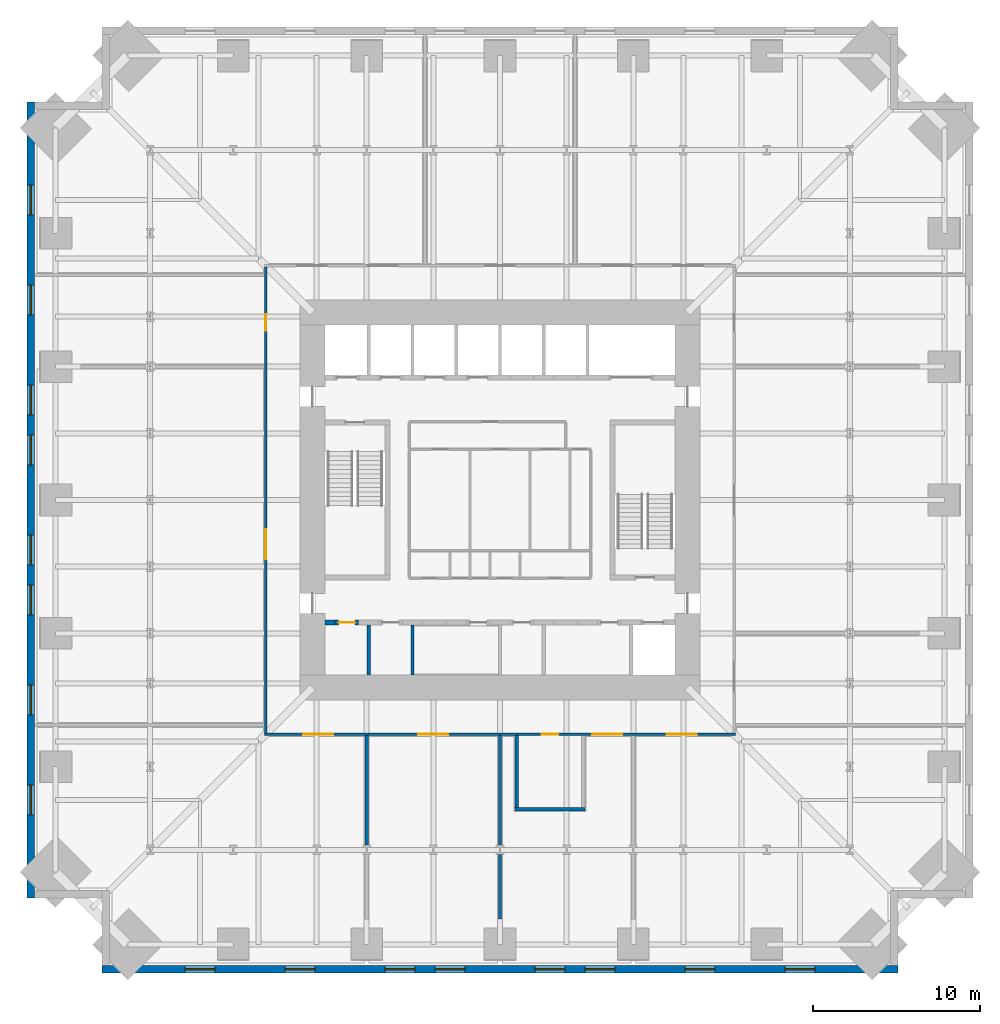
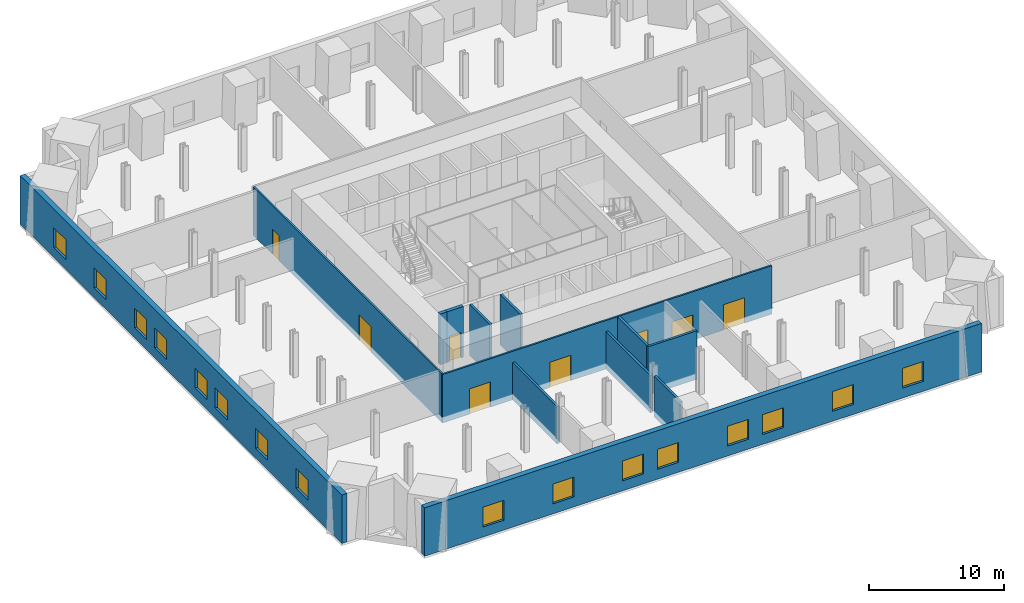
# One storey, part 3 of 8: 16 windows, 13 walls, 8 doors, 24 openings.
"""IFC4 building model written with IfcOpenShell, lengths in metres."""

from ifc_helpers import new_model, si_unit, direction, frame, frame_2d, origin, place, context, subcontext, project, spatial, rectangle, extrude, material, layer, layer_set, type_object, element, fill, save


model = new_model("IFC4")

# Units and contexts
model_context = context("Model", 3, precision=1e-05, world=origin(), true_north=direction((0.0, 1.0)))
body_context = subcontext(model_context, "Body", "Model", "MODEL_VIEW")
ifc_project = project(units=[si_unit("LENGTHUNIT", "METRE"), si_unit("AREAUNIT", "SQUARE_METRE"), si_unit("VOLUMEUNIT", "CUBIC_METRE"), si_unit("PLANEANGLEUNIT", "RADIAN"), si_unit("MASSUNIT", "GRAM", prefix="KILO")], contexts=[model_context])

# Site, building, storey
site_placement = place(None, origin())
site = spatial("IfcSite", under=ifc_project, at=site_placement, CompositionType="ELEMENT")
building_placement = place(site_placement, origin())
building = spatial("IfcBuilding", under=site, at=building_placement, Name="Peilmerk Tower", CompositionType="ELEMENT")
storey_placement = place(building_placement, frame((0.0, 0.0, 104.39990234375)))
storey = spatial("IfcBuildingStorey", under=building, at=storey_placement, Name="L20", CompositionType="ELEMENT", Elevation=104.39990234375)

# Wall, openings, windows
ifc_material_1 = material(Name="Precast concrete C45/55, board-marked finish", Category="concrete")
ifc_layer_1 = layer(ifc_material_1, 0.449951171875)
ifc_layer_set_1 = layer_set([ifc_layer_1], Name="Precast concrete C45/55, board-marked finish")
wall_type_1 = type_object("IfcWallType", Name="EW1 450 precast concrete facade wall, board-marked", PredefinedType="SOLIDWALL", material=ifc_layer_set_1)
wall_1_placement = place(storey_placement, frame((-23.89990234375, -28.175048828125, 0.0), z_axis=(0.0, 0.0, 1.0), x_axis=(1.0, 0.0, 0.0)))
wall_1 = element("IfcWall", 1, at=wall_1_placement, inside=storey, type_object=wall_type_1, Name="Facade wall S L20", PredefinedType="SOLIDWALL", context=body_context, shape_type="SweptSolid", body=[
    extrude(rectangle(XDim=47.7998046875, YDim=0.449951171875, at=frame_2d((23.89990234375, 0.0))), origin(), (0.0, 0.0, 1.0), 4.400146484375),
])
opening_1_placement = place(wall_1_placement, frame((5.0, 0.0, 0.89990234375)))
opening_1 = element("IfcOpeningElement", 2, at=opening_1_placement, cuts=wall_1, Name="Opening W3", PredefinedType="OPENING", context=body_context, shape_type="SweptSolid", body=[
    extrude(rectangle(XDim=1.800048828125, YDim=1.800048828125, at=frame_2d((0.89990234375, 0.89990234375))), frame((0.0, 0.23486328125, 0.0), z_axis=(0.0, -1.0, 0.0), x_axis=(1.0, 0.0, 0.0)), (0.0, 0.0, 1.0), 0.469970703125),
])
opening_2_placement = place(wall_1_placement, frame((11.0, 0.0, 0.89990234375)))
opening_2 = element("IfcOpeningElement", 3, at=opening_2_placement, cuts=wall_1, Name="Opening W3", PredefinedType="OPENING", context=body_context, shape_type="SweptSolid", body=[
    extrude(rectangle(XDim=1.800048828125, YDim=1.800048828125, at=frame_2d((0.89990234375, 0.89990234375))), frame((0.0, 0.23486328125, 0.0), z_axis=(0.0, -1.0, 0.0), x_axis=(1.0, 0.0, 0.0)), (0.0, 0.0, 1.0), 0.469970703125),
])
opening_3_placement = place(wall_1_placement, frame((17.0, 0.0, 0.89990234375)))
opening_3 = element("IfcOpeningElement", 4, at=opening_3_placement, cuts=wall_1, Name="Opening W3", PredefinedType="OPENING", context=body_context, shape_type="SweptSolid", body=[
    extrude(rectangle(XDim=1.800048828125, YDim=1.800048828125, at=frame_2d((0.89990234375, 0.89990234375))), frame((0.0, 0.23486328125, 0.0), z_axis=(0.0, -1.0, 0.0), x_axis=(1.0, 0.0, 0.0)), (0.0, 0.0, 1.0), 0.469970703125),
])
opening_4_placement = place(wall_1_placement, frame((20.0, 0.0, 0.89990234375)))
opening_4 = element("IfcOpeningElement", 5, at=opening_4_placement, cuts=wall_1, Name="Opening W3", PredefinedType="OPENING", context=body_context, shape_type="SweptSolid", body=[
    extrude(rectangle(XDim=1.800048828125, YDim=1.800048828125, at=frame_2d((0.89990234375, 0.89990234375))), frame((0.0, 0.23486328125, 0.0), z_axis=(0.0, -1.0, 0.0), x_axis=(1.0, 0.0, 0.0)), (0.0, 0.0, 1.0), 0.469970703125),
])
opening_5_placement = place(wall_1_placement, frame((26.0, 0.0, 0.89990234375)))
opening_5 = element("IfcOpeningElement", 6, at=opening_5_placement, cuts=wall_1, Name="Opening W3", PredefinedType="OPENING", context=body_context, shape_type="SweptSolid", body=[
    extrude(rectangle(XDim=1.800048828125, YDim=1.800048828125, at=frame_2d((0.89990234375, 0.89990234375))), frame((0.0, 0.23486328125, 0.0), z_axis=(0.0, -1.0, 0.0), x_axis=(1.0, 0.0, 0.0)), (0.0, 0.0, 1.0), 0.469970703125),
])
opening_6_placement = place(wall_1_placement, frame((29.0, 0.0, 0.89990234375)))
opening_6 = element("IfcOpeningElement", 7, at=opening_6_placement, cuts=wall_1, Name="Opening W3", PredefinedType="OPENING", context=body_context, shape_type="SweptSolid", body=[
    extrude(rectangle(XDim=1.800048828125, YDim=1.800048828125, at=frame_2d((0.89990234375, 0.89990234375))), frame((0.0, 0.23486328125, 0.0), z_axis=(0.0, -1.0, 0.0), x_axis=(1.0, 0.0, 0.0)), (0.0, 0.0, 1.0), 0.469970703125),
])
opening_7_placement = place(wall_1_placement, frame((35.0, 0.0, 0.89990234375)))
opening_7 = element("IfcOpeningElement", 8, at=opening_7_placement, cuts=wall_1, Name="Opening W3", PredefinedType="OPENING", context=body_context, shape_type="SweptSolid", body=[
    extrude(rectangle(XDim=1.800048828125, YDim=1.800048828125, at=frame_2d((0.89990234375, 0.89990234375))), frame((0.0, 0.23486328125, 0.0), z_axis=(0.0, -1.0, 0.0), x_axis=(1.0, 0.0, 0.0)), (0.0, 0.0, 1.0), 0.469970703125),
])
opening_8_placement = place(wall_1_placement, frame((41.0, 0.0, 0.89990234375)))
opening_8 = element("IfcOpeningElement", 9, at=opening_8_placement, cuts=wall_1, Name="Opening W3", PredefinedType="OPENING", context=body_context, shape_type="SweptSolid", body=[
    extrude(rectangle(XDim=1.800048828125, YDim=1.800048828125, at=frame_2d((0.89990234375, 0.89990234375))), frame((0.0, 0.23486328125, 0.0), z_axis=(0.0, -1.0, 0.0), x_axis=(1.0, 0.0, 0.0)), (0.0, 0.0, 1.0), 0.469970703125),
])
ifc_material_2 = material(Name="Aluminium frame, clear double glazing", Category="aluminium")
window_type = type_object("IfcWindowType", Name="W3 1800x1800 telecom floor window", PartitioningType="SINGLE_PANEL", PredefinedType="WINDOW", material=ifc_material_2)
window_1_placement = place(opening_1_placement, origin())
window_1 = element("IfcWindow", 10, at=window_1_placement, inside=storey, type_object=window_type, Name="Window W3 L20", OverallHeight=1.800048828125, OverallWidth=1.800048828125, PartitioningType="SINGLE_PANEL", PredefinedType="WINDOW", context=body_context, shape_type="SweptSolid", body=[
    extrude(rectangle(XDim=1.800048828125, YDim=1.800048828125, at=frame_2d((0.89990234375, 0.89990234375))), frame((0.0, 0.030029296875, 0.0), z_axis=(0.0, -1.0, 0.0), x_axis=(1.0, 0.0, 0.0)), (0.0, 0.0, 1.0), 0.06005859375),
])
fill(opening_1, window_1)
window_2_placement = place(opening_2_placement, origin())
window_2 = element("IfcWindow", 11, at=window_2_placement, inside=storey, type_object=window_type, Name="Window W3 L20", OverallHeight=1.800048828125, OverallWidth=1.800048828125, PartitioningType="SINGLE_PANEL", PredefinedType="WINDOW", context=body_context, shape_type="SweptSolid", body=[
    extrude(rectangle(XDim=1.800048828125, YDim=1.800048828125, at=frame_2d((0.89990234375, 0.89990234375))), frame((0.0, 0.030029296875, 0.0), z_axis=(0.0, -1.0, 0.0), x_axis=(1.0, 0.0, 0.0)), (0.0, 0.0, 1.0), 0.06005859375),
])
fill(opening_2, window_2)
window_3_placement = place(opening_3_placement, origin())
window_3 = element("IfcWindow", 12, at=window_3_placement, inside=storey, type_object=window_type, Name="Window W3 L20", OverallHeight=1.800048828125, OverallWidth=1.800048828125, PartitioningType="SINGLE_PANEL", PredefinedType="WINDOW", context=body_context, shape_type="SweptSolid", body=[
    extrude(rectangle(XDim=1.800048828125, YDim=1.800048828125, at=frame_2d((0.89990234375, 0.89990234375))), frame((0.0, 0.030029296875, 0.0), z_axis=(0.0, -1.0, 0.0), x_axis=(1.0, 0.0, 0.0)), (0.0, 0.0, 1.0), 0.06005859375),
])
fill(opening_3, window_3)
window_4_placement = place(opening_4_placement, origin())
window_4 = element("IfcWindow", 13, at=window_4_placement, inside=storey, type_object=window_type, Name="Window W3 L20", OverallHeight=1.800048828125, OverallWidth=1.800048828125, PartitioningType="SINGLE_PANEL", PredefinedType="WINDOW", context=body_context, shape_type="SweptSolid", body=[
    extrude(rectangle(XDim=1.800048828125, YDim=1.800048828125, at=frame_2d((0.89990234375, 0.89990234375))), frame((0.0, 0.030029296875, 0.0), z_axis=(0.0, -1.0, 0.0), x_axis=(1.0, 0.0, 0.0)), (0.0, 0.0, 1.0), 0.06005859375),
])
fill(opening_4, window_4)
window_5_placement = place(opening_5_placement, origin())
window_5 = element("IfcWindow", 14, at=window_5_placement, inside=storey, type_object=window_type, Name="Window W3 L20", OverallHeight=1.800048828125, OverallWidth=1.800048828125, PartitioningType="SINGLE_PANEL", PredefinedType="WINDOW", context=body_context, shape_type="SweptSolid", body=[
    extrude(rectangle(XDim=1.800048828125, YDim=1.800048828125, at=frame_2d((0.89990234375, 0.89990234375))), frame((0.0, 0.030029296875, 0.0), z_axis=(0.0, -1.0, 0.0), x_axis=(1.0, 0.0, 0.0)), (0.0, 0.0, 1.0), 0.06005859375),
])
fill(opening_5, window_5)
window_6_placement = place(opening_6_placement, origin())
window_6 = element("IfcWindow", 15, at=window_6_placement, inside=storey, type_object=window_type, Name="Window W3 L20", OverallHeight=1.800048828125, OverallWidth=1.800048828125, PartitioningType="SINGLE_PANEL", PredefinedType="WINDOW", context=body_context, shape_type="SweptSolid", body=[
    extrude(rectangle(XDim=1.800048828125, YDim=1.800048828125, at=frame_2d((0.89990234375, 0.89990234375))), frame((0.0, 0.030029296875, 0.0), z_axis=(0.0, -1.0, 0.0), x_axis=(1.0, 0.0, 0.0)), (0.0, 0.0, 1.0), 0.06005859375),
])
fill(opening_6, window_6)
window_7_placement = place(opening_7_placement, origin())
window_7 = element("IfcWindow", 16, at=window_7_placement, inside=storey, type_object=window_type, Name="Window W3 L20", OverallHeight=1.800048828125, OverallWidth=1.800048828125, PartitioningType="SINGLE_PANEL", PredefinedType="WINDOW", context=body_context, shape_type="SweptSolid", body=[
    extrude(rectangle(XDim=1.800048828125, YDim=1.800048828125, at=frame_2d((0.89990234375, 0.89990234375))), frame((0.0, 0.030029296875, 0.0), z_axis=(0.0, -1.0, 0.0), x_axis=(1.0, 0.0, 0.0)), (0.0, 0.0, 1.0), 0.06005859375),
])
fill(opening_7, window_7)
window_8_placement = place(opening_8_placement, origin())
window_8 = element("IfcWindow", 17, at=window_8_placement, inside=storey, type_object=window_type, Name="Window W3 L20", OverallHeight=1.800048828125, OverallWidth=1.800048828125, PartitioningType="SINGLE_PANEL", PredefinedType="WINDOW", context=body_context, shape_type="SweptSolid", body=[
    extrude(rectangle(XDim=1.800048828125, YDim=1.800048828125, at=frame_2d((0.89990234375, 0.89990234375))), frame((0.0, 0.030029296875, 0.0), z_axis=(0.0, -1.0, 0.0), x_axis=(1.0, 0.0, 0.0)), (0.0, 0.0, 1.0), 0.06005859375),
])
fill(opening_8, window_8)

wall_2_placement = place(storey_placement, frame((-28.175048828125, 23.89990234375, 0.0), z_axis=(0.0, 0.0, 1.0), x_axis=(0.0, -1.0, 0.0)))
wall_2 = element("IfcWall", 18, at=wall_2_placement, inside=storey, type_object=wall_type_1, Name="Facade wall W L20", PredefinedType="SOLIDWALL", context=body_context, shape_type="SweptSolid", body=[
    extrude(rectangle(XDim=47.7998046875, YDim=0.449951171875, at=frame_2d((23.89990234375, 0.0))), origin(), (0.0, 0.0, 1.0), 4.400146484375),
])
opening_9_placement = place(wall_2_placement, frame((5.0, 0.0, 0.89990234375)))
opening_9 = element("IfcOpeningElement", 19, at=opening_9_placement, cuts=wall_2, Name="Opening W3", PredefinedType="OPENING", context=body_context, shape_type="SweptSolid", body=[
    extrude(rectangle(XDim=1.800048828125, YDim=1.800048828125, at=frame_2d((0.89990234375, 0.89990234375))), frame((0.0, 0.23486328125, 0.0), z_axis=(0.0, -1.0, 0.0), x_axis=(1.0, 0.0, 0.0)), (0.0, 0.0, 1.0), 0.469970703125),
])
opening_10_placement = place(wall_2_placement, frame((11.0, 0.0, 0.89990234375)))
opening_10 = element("IfcOpeningElement", 20, at=opening_10_placement, cuts=wall_2, Name="Opening W3", PredefinedType="OPENING", context=body_context, shape_type="SweptSolid", body=[
    extrude(rectangle(XDim=1.800048828125, YDim=1.800048828125, at=frame_2d((0.89990234375, 0.89990234375))), frame((0.0, 0.23486328125, 0.0), z_axis=(0.0, -1.0, 0.0), x_axis=(1.0, 0.0, 0.0)), (0.0, 0.0, 1.0), 0.469970703125),
])
opening_11_placement = place(wall_2_placement, frame((17.0, 0.0, 0.89990234375)))
opening_11 = element("IfcOpeningElement", 21, at=opening_11_placement, cuts=wall_2, Name="Opening W3", PredefinedType="OPENING", context=body_context, shape_type="SweptSolid", body=[
    extrude(rectangle(XDim=1.800048828125, YDim=1.800048828125, at=frame_2d((0.89990234375, 0.89990234375))), frame((0.0, 0.23486328125, 0.0), z_axis=(0.0, -1.0, 0.0), x_axis=(1.0, 0.0, 0.0)), (0.0, 0.0, 1.0), 0.469970703125),
])
opening_12_placement = place(wall_2_placement, frame((20.0, 0.0, 0.89990234375)))
opening_12 = element("IfcOpeningElement", 22, at=opening_12_placement, cuts=wall_2, Name="Opening W3", PredefinedType="OPENING", context=body_context, shape_type="SweptSolid", body=[
    extrude(rectangle(XDim=1.800048828125, YDim=1.800048828125, at=frame_2d((0.89990234375, 0.89990234375))), frame((0.0, 0.23486328125, 0.0), z_axis=(0.0, -1.0, 0.0), x_axis=(1.0, 0.0, 0.0)), (0.0, 0.0, 1.0), 0.469970703125),
])
opening_13_placement = place(wall_2_placement, frame((26.0, 0.0, 0.89990234375)))
opening_13 = element("IfcOpeningElement", 23, at=opening_13_placement, cuts=wall_2, Name="Opening W3", PredefinedType="OPENING", context=body_context, shape_type="SweptSolid", body=[
    extrude(rectangle(XDim=1.800048828125, YDim=1.800048828125, at=frame_2d((0.89990234375, 0.89990234375))), frame((0.0, 0.23486328125, 0.0), z_axis=(0.0, -1.0, 0.0), x_axis=(1.0, 0.0, 0.0)), (0.0, 0.0, 1.0), 0.469970703125),
])
opening_14_placement = place(wall_2_placement, frame((29.0, 0.0, 0.89990234375)))
opening_14 = element("IfcOpeningElement", 24, at=opening_14_placement, cuts=wall_2, Name="Opening W3", PredefinedType="OPENING", context=body_context, shape_type="SweptSolid", body=[
    extrude(rectangle(XDim=1.800048828125, YDim=1.800048828125, at=frame_2d((0.89990234375, 0.89990234375))), frame((0.0, 0.23486328125, 0.0), z_axis=(0.0, -1.0, 0.0), x_axis=(1.0, 0.0, 0.0)), (0.0, 0.0, 1.0), 0.469970703125),
])
opening_15_placement = place(wall_2_placement, frame((35.0, 0.0, 0.89990234375)))
opening_15 = element("IfcOpeningElement", 25, at=opening_15_placement, cuts=wall_2, Name="Opening W3", PredefinedType="OPENING", context=body_context, shape_type="SweptSolid", body=[
    extrude(rectangle(XDim=1.800048828125, YDim=1.800048828125, at=frame_2d((0.89990234375, 0.89990234375))), frame((0.0, 0.23486328125, 0.0), z_axis=(0.0, -1.0, 0.0), x_axis=(1.0, 0.0, 0.0)), (0.0, 0.0, 1.0), 0.469970703125),
])
opening_16_placement = place(wall_2_placement, frame((41.0, 0.0, 0.89990234375)))
opening_16 = element("IfcOpeningElement", 26, at=opening_16_placement, cuts=wall_2, Name="Opening W3", PredefinedType="OPENING", context=body_context, shape_type="SweptSolid", body=[
    extrude(rectangle(XDim=1.800048828125, YDim=1.800048828125, at=frame_2d((0.89990234375, 0.89990234375))), frame((0.0, 0.23486328125, 0.0), z_axis=(0.0, -1.0, 0.0), x_axis=(1.0, 0.0, 0.0)), (0.0, 0.0, 1.0), 0.469970703125),
])
window_9_placement = place(opening_9_placement, origin())
window_9 = element("IfcWindow", 27, at=window_9_placement, inside=storey, type_object=window_type, Name="Window W3 L20", OverallHeight=1.800048828125, OverallWidth=1.800048828125, PartitioningType="SINGLE_PANEL", PredefinedType="WINDOW", context=body_context, shape_type="SweptSolid", body=[
    extrude(rectangle(XDim=1.800048828125, YDim=1.800048828125, at=frame_2d((0.89990234375, 0.89990234375))), frame((0.0, 0.030029296875, 0.0), z_axis=(0.0, -1.0, 0.0), x_axis=(1.0, 0.0, 0.0)), (0.0, 0.0, 1.0), 0.06005859375),
])
fill(opening_9, window_9)
window_10_placement = place(opening_10_placement, origin())
window_10 = element("IfcWindow", 28, at=window_10_placement, inside=storey, type_object=window_type, Name="Window W3 L20", OverallHeight=1.800048828125, OverallWidth=1.800048828125, PartitioningType="SINGLE_PANEL", PredefinedType="WINDOW", context=body_context, shape_type="SweptSolid", body=[
    extrude(rectangle(XDim=1.800048828125, YDim=1.800048828125, at=frame_2d((0.89990234375, 0.89990234375))), frame((0.0, 0.030029296875, 0.0), z_axis=(0.0, -1.0, 0.0), x_axis=(1.0, 0.0, 0.0)), (0.0, 0.0, 1.0), 0.06005859375),
])
fill(opening_10, window_10)
window_11_placement = place(opening_11_placement, origin())
window_11 = element("IfcWindow", 29, at=window_11_placement, inside=storey, type_object=window_type, Name="Window W3 L20", OverallHeight=1.800048828125, OverallWidth=1.800048828125, PartitioningType="SINGLE_PANEL", PredefinedType="WINDOW", context=body_context, shape_type="SweptSolid", body=[
    extrude(rectangle(XDim=1.800048828125, YDim=1.800048828125, at=frame_2d((0.89990234375, 0.89990234375))), frame((0.0, 0.030029296875, 0.0), z_axis=(0.0, -1.0, 0.0), x_axis=(1.0, 0.0, 0.0)), (0.0, 0.0, 1.0), 0.06005859375),
])
fill(opening_11, window_11)
window_12_placement = place(opening_12_placement, origin())
window_12 = element("IfcWindow", 30, at=window_12_placement, inside=storey, type_object=window_type, Name="Window W3 L20", OverallHeight=1.800048828125, OverallWidth=1.800048828125, PartitioningType="SINGLE_PANEL", PredefinedType="WINDOW", context=body_context, shape_type="SweptSolid", body=[
    extrude(rectangle(XDim=1.800048828125, YDim=1.800048828125, at=frame_2d((0.89990234375, 0.89990234375))), frame((0.0, 0.030029296875, 0.0), z_axis=(0.0, -1.0, 0.0), x_axis=(1.0, 0.0, 0.0)), (0.0, 0.0, 1.0), 0.06005859375),
])
fill(opening_12, window_12)
window_13_placement = place(opening_13_placement, origin())
window_13 = element("IfcWindow", 31, at=window_13_placement, inside=storey, type_object=window_type, Name="Window W3 L20", OverallHeight=1.800048828125, OverallWidth=1.800048828125, PartitioningType="SINGLE_PANEL", PredefinedType="WINDOW", context=body_context, shape_type="SweptSolid", body=[
    extrude(rectangle(XDim=1.800048828125, YDim=1.800048828125, at=frame_2d((0.89990234375, 0.89990234375))), frame((0.0, 0.030029296875, 0.0), z_axis=(0.0, -1.0, 0.0), x_axis=(1.0, 0.0, 0.0)), (0.0, 0.0, 1.0), 0.06005859375),
])
fill(opening_13, window_13)
window_14_placement = place(opening_14_placement, origin())
window_14 = element("IfcWindow", 32, at=window_14_placement, inside=storey, type_object=window_type, Name="Window W3 L20", OverallHeight=1.800048828125, OverallWidth=1.800048828125, PartitioningType="SINGLE_PANEL", PredefinedType="WINDOW", context=body_context, shape_type="SweptSolid", body=[
    extrude(rectangle(XDim=1.800048828125, YDim=1.800048828125, at=frame_2d((0.89990234375, 0.89990234375))), frame((0.0, 0.030029296875, 0.0), z_axis=(0.0, -1.0, 0.0), x_axis=(1.0, 0.0, 0.0)), (0.0, 0.0, 1.0), 0.06005859375),
])
fill(opening_14, window_14)
window_15_placement = place(opening_15_placement, origin())
window_15 = element("IfcWindow", 33, at=window_15_placement, inside=storey, type_object=window_type, Name="Window W3 L20", OverallHeight=1.800048828125, OverallWidth=1.800048828125, PartitioningType="SINGLE_PANEL", PredefinedType="WINDOW", context=body_context, shape_type="SweptSolid", body=[
    extrude(rectangle(XDim=1.800048828125, YDim=1.800048828125, at=frame_2d((0.89990234375, 0.89990234375))), frame((0.0, 0.030029296875, 0.0), z_axis=(0.0, -1.0, 0.0), x_axis=(1.0, 0.0, 0.0)), (0.0, 0.0, 1.0), 0.06005859375),
])
fill(opening_15, window_15)
window_16_placement = place(opening_16_placement, origin())
window_16 = element("IfcWindow", 34, at=window_16_placement, inside=storey, type_object=window_type, Name="Window W3 L20", OverallHeight=1.800048828125, OverallWidth=1.800048828125, PartitioningType="SINGLE_PANEL", PredefinedType="WINDOW", context=body_context, shape_type="SweptSolid", body=[
    extrude(rectangle(XDim=1.800048828125, YDim=1.800048828125, at=frame_2d((0.89990234375, 0.89990234375))), frame((0.0, 0.030029296875, 0.0), z_axis=(0.0, -1.0, 0.0), x_axis=(1.0, 0.0, 0.0)), (0.0, 0.0, 1.0), 0.06005859375),
])
fill(opening_16, window_16)

# Wall, openings, doors
ifc_material_3 = material(Name="Calcium silicate block", Category="masonry")
ifc_layer_2 = layer(ifc_material_3, 0.14990234375)
ifc_layer_set_2 = layer_set([ifc_layer_2], Name="Calcium silicate block")
wall_type_2 = type_object("IfcWallType", Name="IW1 150 corridor partition, EI 60", PredefinedType="PARTITIONING", material=ifc_layer_set_2)
wall_3_placement = place(storey_placement, frame((14.125, -14.050048828125, 0.0), z_axis=(0.0, 0.0, 1.0), x_axis=(-1.0, 0.0, 0.0)))
wall_3 = element("IfcWall", 35, at=wall_3_placement, inside=storey, type_object=wall_type_2, Name="Corridor wall S L20", PredefinedType="PARTITIONING", context=body_context, shape_type="SweptSolid", body=[
    extrude(rectangle(XDim=28.25, YDim=0.14990234375, at=frame_2d((14.125, 0.0))), origin(), (0.0, 0.0, 1.0), 4.400146484375),
])
opening_17_placement = place(wall_3_placement, frame((24.125, 0.0, 0.0)))
opening_17 = element("IfcOpeningElement", 36, at=opening_17_placement, cuts=wall_3, Name="Opening D2", PredefinedType="OPENING", context=body_context, shape_type="SweptSolid", body=[
    extrude(rectangle(XDim=1.800048828125, YDim=2.300048828125, at=frame_2d((0.89990234375, 1.14990234375))), frame((0.0, 0.0849609375, 0.0), z_axis=(0.0, -1.0, 0.0), x_axis=(1.0, 0.0, 0.0)), (0.0, 0.0, 1.0), 0.169921875),
])
opening_18_placement = place(wall_3_placement, frame((17.22509765625, 0.0, 0.0)))
opening_18 = element("IfcOpeningElement", 37, at=opening_18_placement, cuts=wall_3, Name="Opening D2", PredefinedType="OPENING", context=body_context, shape_type="SweptSolid", body=[
    extrude(rectangle(XDim=1.800048828125, YDim=2.300048828125, at=frame_2d((0.89990234375, 1.14990234375))), frame((0.0, 0.0849609375, 0.0), z_axis=(0.0, -1.0, 0.0), x_axis=(1.0, 0.0, 0.0)), (0.0, 0.0, 1.0), 0.169921875),
])
opening_19_placement = place(wall_3_placement, frame((6.77490234375, 0.0, 0.0)))
opening_19 = element("IfcOpeningElement", 38, at=opening_19_placement, cuts=wall_3, Name="Opening D2", PredefinedType="OPENING", context=body_context, shape_type="SweptSolid", body=[
    extrude(rectangle(XDim=1.800048828125, YDim=2.300048828125, at=frame_2d((0.89990234375, 1.14990234375))), frame((0.0, 0.0849609375, 0.0), z_axis=(0.0, -1.0, 0.0), x_axis=(1.0, 0.0, 0.0)), (0.0, 0.0, 1.0), 0.169921875),
])
opening_20_placement = place(wall_3_placement, frame((2.324951171875, 0.0, 0.0)))
opening_20 = element("IfcOpeningElement", 39, at=opening_20_placement, cuts=wall_3, Name="Opening D2", PredefinedType="OPENING", context=body_context, shape_type="SweptSolid", body=[
    extrude(rectangle(XDim=1.800048828125, YDim=2.300048828125, at=frame_2d((0.89990234375, 1.14990234375))), frame((0.0, 0.0849609375, 0.0), z_axis=(0.0, -1.0, 0.0), x_axis=(1.0, 0.0, 0.0)), (0.0, 0.0, 1.0), 0.169921875),
])
opening_21_placement = place(wall_3_placement, frame((10.625, 0.0, 0.0)))
opening_21 = element("IfcOpeningElement", 40, at=opening_21_placement, cuts=wall_3, Name="Opening D1", PredefinedType="OPENING", context=body_context, shape_type="SweptSolid", body=[
    extrude(rectangle(XDim=1.0, YDim=2.300048828125, at=frame_2d((0.5, 1.14990234375))), frame((0.0, 0.0849609375, 0.0), z_axis=(0.0, -1.0, 0.0), x_axis=(1.0, 0.0, 0.0)), (0.0, 0.0, 1.0), 0.169921875),
])
ifc_material_4 = material(Name="Timber door in steel frame", Category="steel")
door_type_1 = type_object("IfcDoorType", Name="D1 1000x2300 room door, EI2 30", OperationType="SINGLE_SWING_LEFT", PredefinedType="DOOR", material=ifc_material_4)
door_1_placement = place(opening_21_placement, origin())
door_1 = element("IfcDoor", 41, at=door_1_placement, inside=storey, type_object=door_type_1, Name="Door Operations office L20", OperationType="SINGLE_SWING_LEFT", OverallHeight=2.300048828125, OverallWidth=1.0, PredefinedType="DOOR", context=body_context, shape_type="SweptSolid", body=[
    extrude(rectangle(XDim=1.0, YDim=2.300048828125, at=frame_2d((0.5, 1.14990234375))), frame((0.0, 0.02490234375, 0.0), z_axis=(0.0, -1.0, 0.0), x_axis=(1.0, 0.0, 0.0)), (0.0, 0.0, 1.0), 0.050048828125),
])
fill(opening_21, door_1)
ifc_material_5 = material(Name="Steel door in steel frame", Category="steel")
door_type_2 = type_object("IfcDoorType", Name="D2 1800x2300 double door, EI2 60", OperationType="DOUBLE_DOOR_DOUBLE_SWING", PredefinedType="DOOR", material=ifc_material_5)
door_2_placement = place(opening_17_placement, origin())
door_2 = element("IfcDoor", 42, at=door_2_placement, inside=storey, type_object=door_type_2, Name="Door Telecom equipment room D L20", OperationType="DOUBLE_DOOR_DOUBLE_SWING", OverallHeight=2.300048828125, OverallWidth=1.800048828125, PredefinedType="DOOR", context=body_context, shape_type="SweptSolid", body=[
    extrude(rectangle(XDim=1.800048828125, YDim=2.300048828125, at=frame_2d((0.89990234375, 1.14990234375))), frame((0.0, 0.02490234375, 0.0), z_axis=(0.0, -1.0, 0.0), x_axis=(1.0, 0.0, 0.0)), (0.0, 0.0, 1.0), 0.050048828125),
])
fill(opening_17, door_2)
door_3_placement = place(opening_18_placement, origin())
door_3 = element("IfcDoor", 43, at=door_3_placement, inside=storey, type_object=door_type_2, Name="Door Transmission room A L20", OperationType="DOUBLE_DOOR_DOUBLE_SWING", OverallHeight=2.300048828125, OverallWidth=1.800048828125, PredefinedType="DOOR", context=body_context, shape_type="SweptSolid", body=[
    extrude(rectangle(XDim=1.800048828125, YDim=2.300048828125, at=frame_2d((0.89990234375, 1.14990234375))), frame((0.0, 0.02490234375, 0.0), z_axis=(0.0, -1.0, 0.0), x_axis=(1.0, 0.0, 0.0)), (0.0, 0.0, 1.0), 0.050048828125),
])
fill(opening_18, door_3)
door_4_placement = place(opening_19_placement, origin())
door_4 = element("IfcDoor", 44, at=door_4_placement, inside=storey, type_object=door_type_2, Name="Door Transmission room B L20", OperationType="DOUBLE_DOOR_DOUBLE_SWING", OverallHeight=2.300048828125, OverallWidth=1.800048828125, PredefinedType="DOOR", context=body_context, shape_type="SweptSolid", body=[
    extrude(rectangle(XDim=1.800048828125, YDim=2.300048828125, at=frame_2d((0.89990234375, 1.14990234375))), frame((0.0, 0.02490234375, 0.0), z_axis=(0.0, -1.0, 0.0), x_axis=(1.0, 0.0, 0.0)), (0.0, 0.0, 1.0), 0.050048828125),
])
fill(opening_19, door_4)
door_5_placement = place(opening_20_placement, origin())
door_5 = element("IfcDoor", 45, at=door_5_placement, inside=storey, type_object=door_type_2, Name="Door Telecom equipment room E L20", OperationType="DOUBLE_DOOR_DOUBLE_SWING", OverallHeight=2.300048828125, OverallWidth=1.800048828125, PredefinedType="DOOR", context=body_context, shape_type="SweptSolid", body=[
    extrude(rectangle(XDim=1.800048828125, YDim=2.300048828125, at=frame_2d((0.89990234375, 1.14990234375))), frame((0.0, 0.02490234375, 0.0), z_axis=(0.0, -1.0, 0.0), x_axis=(1.0, 0.0, 0.0)), (0.0, 0.0, 1.0), 0.050048828125),
])
fill(opening_20, door_5)

wall_4_placement = place(storey_placement, frame((-14.050048828125, 13.97509765625, 0.0), z_axis=(0.0, 0.0, 1.0), x_axis=(0.0, -1.0, 0.0)))
wall_4 = element("IfcWall", 46, at=wall_4_placement, inside=storey, type_object=wall_type_2, Name="Corridor wall W L20", PredefinedType="PARTITIONING", context=body_context, shape_type="SweptSolid", body=[
    extrude(rectangle(XDim=27.9501953125, YDim=0.14990234375, at=frame_2d((13.97509765625, 0.0))), origin(), (0.0, 0.0, 1.0), 4.400146484375),
])
opening_22_placement = place(wall_4_placement, frame((15.72509765625, 0.0, 0.0)))
opening_22 = element("IfcOpeningElement", 47, at=opening_22_placement, cuts=wall_4, Name="Opening D2", PredefinedType="OPENING", context=body_context, shape_type="SweptSolid", body=[
    extrude(rectangle(XDim=1.800048828125, YDim=2.300048828125, at=frame_2d((0.89990234375, 1.14990234375))), frame((0.0, 0.0849609375, 0.0), z_axis=(0.0, -1.0, 0.0), x_axis=(1.0, 0.0, 0.0)), (0.0, 0.0, 1.0), 0.169921875),
])
opening_23_placement = place(wall_4_placement, frame((2.824951171875, 0.0, 0.0)))
opening_23 = element("IfcOpeningElement", 48, at=opening_23_placement, cuts=wall_4, Name="Opening D1", PredefinedType="OPENING", context=body_context, shape_type="SweptSolid", body=[
    extrude(rectangle(XDim=1.0, YDim=2.300048828125, at=frame_2d((0.5, 1.14990234375))), frame((0.0, 0.0849609375, 0.0), z_axis=(0.0, -1.0, 0.0), x_axis=(1.0, 0.0, 0.0)), (0.0, 0.0, 1.0), 0.169921875),
])
door_6_placement = place(opening_23_placement, frame((1.0, 0.0, 0.0), z_axis=(0.0, 0.0, 1.0), x_axis=(-1.0, 0.0, 0.0)))
door_6 = element("IfcDoor", 49, at=door_6_placement, inside=storey, type_object=door_type_1, Name="Door Store L20", OperationType="SINGLE_SWING_LEFT", OverallHeight=2.300048828125, OverallWidth=1.0, PredefinedType="DOOR", context=body_context, shape_type="SweptSolid", body=[
    extrude(rectangle(XDim=1.0, YDim=2.300048828125, at=frame_2d((0.5, 1.14990234375))), frame((0.0, 0.02490234375, 0.0), z_axis=(0.0, -1.0, 0.0), x_axis=(1.0, 0.0, 0.0)), (0.0, 0.0, 1.0), 0.050048828125),
])
fill(opening_23, door_6)
door_7_placement = place(opening_22_placement, frame((1.800048828125, 0.0, 0.0), z_axis=(0.0, 0.0, 1.0), x_axis=(-1.0, 0.0, 0.0)))
door_7 = element("IfcDoor", 50, at=door_7_placement, inside=storey, type_object=door_type_2, Name="Door Network room L20", OperationType="DOUBLE_DOOR_DOUBLE_SWING", OverallHeight=2.300048828125, OverallWidth=1.800048828125, PredefinedType="DOOR", context=body_context, shape_type="SweptSolid", body=[
    extrude(rectangle(XDim=1.800048828125, YDim=2.300048828125, at=frame_2d((0.89990234375, 1.14990234375))), frame((0.0, 0.02490234375, 0.0), z_axis=(0.0, -1.0, 0.0), x_axis=(1.0, 0.0, 0.0)), (0.0, 0.0, 1.0), 0.050048828125),
])
fill(opening_22, door_7)

# Walls
ifc_layer_3 = layer(ifc_material_3, 0.199951171875)
ifc_layer_set_3 = layer_set([ifc_layer_3], Name="Calcium silicate block")
wall_type_3 = type_object("IfcWallType", Name="IW2 200 room separating wall, EI 120", PredefinedType="PARTITIONING", material=ifc_layer_set_3)
for number, where, z_axis, x_axis, name in (
    (51, (-8.0, -14.125, 0.0), (0.0, 0.0, 1.0), (0.0, -1.0, 0.0), "Room separating wall S1 L20"),
    (52, (0.0, -14.125, 0.0), (0.0, 0.0, 1.0), (0.0, -1.0, 0.0), "Room separating wall S2 L20"),
):
    element("IfcWall", number, at=place(storey_placement, frame(where, z_axis=z_axis, x_axis=x_axis)), inside=storey, type_object=wall_type_3, Name=name, PredefinedType="PARTITIONING", context=body_context, shape_type="SweptSolid", body=[
        extrude(rectangle(XDim=6.590576171875, YDim=0.199951171875, at=frame_2d((3.29541015625, 0.0))), origin(), (0.0, 0.0, 1.0), 3.39208984375),
    ])
wall_5_placement = place(storey_placement, frame((0.0, -21.284423828125, 0.0), z_axis=(0.0, 0.0, 1.0), x_axis=(0.0, -1.0, 0.0)))
element("IfcWall", 53, at=wall_5_placement, inside=storey, type_object=wall_type_3, Name="Room separating wall S2b L20", PredefinedType="PARTITIONING", context=body_context, shape_type="SweptSolid", body=[
    extrude(rectangle(XDim=3.873779296875, YDim=0.199951171875, at=frame_2d((1.93701171875, 0.0))), origin(), (0.0, 0.0, 1.0), 3.710205078125),
])
wall_6_placement = place(storey_placement, frame((0.89990234375, -18.550048828125, 0.0), z_axis=(0.0, 0.0, 1.0), x_axis=(1.0, 0.0, 0.0)))
element("IfcWall", 54, at=wall_6_placement, inside=storey, type_object=wall_type_3, Name="Room separating wall Operations office L20", PredefinedType="PARTITIONING", context=body_context, shape_type="SweptSolid", body=[
    extrude(rectangle(XDim=4.2001953125, YDim=0.199951171875, at=frame_2d((2.10009765625, 0.0))), origin(), (0.0, 0.0, 1.0), 4.400146484375),
])
wall_7_placement = place(storey_placement, frame((1.0, -14.125, 0.0), z_axis=(0.0, 0.0, 1.0), x_axis=(0.0, -1.0, 0.0)))
element("IfcWall", 55, at=wall_7_placement, inside=storey, type_object=wall_type_3, Name="Room separating wall Operations office L20", PredefinedType="PARTITIONING", context=body_context, shape_type="SweptSolid", body=[
    extrude(rectangle(XDim=4.324951171875, YDim=0.199951171875, at=frame_2d((2.16259765625, 0.0))), origin(), (0.0, 0.0, 1.0), 4.400146484375),
])
ifc_layer_4 = layer(ifc_material_3, 0.199951171875)
ifc_layer_set_4 = layer_set([ifc_layer_4], Name="Calcium silicate block")
wall_type_4 = type_object("IfcWallType", Name="SH1 200 shaft dividing wall, EI 120", PredefinedType="PARTITIONING", material=ifc_layer_set_4)
for number, where, z_axis, x_axis, name in (
    (56, (-7.875, -10.5, 0.0), (0.0, 0.0, 1.0), (0.0, 1.0, 0.0), "Shaft wall S C4 L20"),
    (57, (-5.25, -10.5, 0.0), (0.0, 0.0, 1.0), (0.0, 1.0, 0.0), "Shaft wall S C3 L20"),
):
    element("IfcWall", number, at=place(storey_placement, frame(where, z_axis=z_axis, x_axis=x_axis)), inside=storey, type_object=wall_type_4, Name=name, PredefinedType="PARTITIONING", context=body_context, shape_type="SweptSolid", body=[
        extrude(rectangle(XDim=3.0, YDim=0.199951171875, at=frame_2d((1.5, 0.0))), origin(), (0.0, 0.0, 1.0), 4.60009765625),
    ])

# Wall, opening, door
ifc_layer_5 = layer(ifc_material_3, 0.300048828125)
ifc_layer_set_5 = layer_set([ifc_layer_5], Name="Calcium silicate block")
wall_type_5 = type_object("IfcWallType", Name="SH2 300 lift landing door panel, EI 120", PredefinedType="PARTITIONING", material=ifc_layer_set_5)
wall_8_placement = place(storey_placement, frame((-9.887451171875, -7.35009765625, 0.0), z_axis=(0.0, 0.0, 1.0), x_axis=(1.0, 0.0, 0.0)))
wall_8 = element("IfcWall", 58, at=wall_8_placement, inside=storey, type_object=wall_type_5, Name="Lift door panel S C4 L20", PredefinedType="PARTITIONING", context=body_context, shape_type="SweptSolid", body=[
    extrude(rectangle(XDim=1.39990234375, YDim=0.300048828125, at=frame_2d((0.699951171875, 0.0))), origin(), (0.0, 0.0, 1.0), 4.60009765625),
])
opening_24_placement = place(wall_8_placement, frame((0.199951171875, 0.0, 0.0)))
opening_24 = element("IfcOpeningElement", 59, at=opening_24_placement, cuts=wall_8, Name="Opening D10", PredefinedType="OPENING", context=body_context, shape_type="SweptSolid", body=[
    extrude(rectangle(XDim=1.0, YDim=2.300048828125, at=frame_2d((0.5, 1.14990234375))), frame((0.0, 0.159912109375, 0.0), z_axis=(0.0, -1.0, 0.0), x_axis=(1.0, 0.0, 0.0)), (0.0, 0.0, 1.0), 0.320068359375),
])
door_type_3 = type_object("IfcDoorType", Name="D10 1000x2300 core room door, EI2 60", OperationType="SINGLE_SWING_RIGHT", PredefinedType="DOOR", material=ifc_material_5)
door_8_placement = place(opening_24_placement, frame((1.0, 0.0, 0.0), z_axis=(0.0, 0.0, 1.0), x_axis=(-1.0, 0.0, 0.0)))
door_8 = element("IfcDoor", 60, at=door_8_placement, inside=storey, type_object=door_type_3, Name="Door Housekeeping store L20", OperationType="SINGLE_SWING_RIGHT", OverallHeight=2.300048828125, OverallWidth=1.0, PredefinedType="DOOR", context=body_context, shape_type="SweptSolid", body=[
    extrude(rectangle(XDim=1.0, YDim=2.300048828125, at=frame_2d((0.5, 1.14990234375))), frame((0.0, 0.02490234375, 0.0), z_axis=(0.0, -1.0, 0.0), x_axis=(1.0, 0.0, 0.0)), (0.0, 0.0, 1.0), 0.050048828125),
])
fill(opening_24, door_8)

# Wall
ifc_material_6 = material(Name="Concrete C55/67", Category="concrete")
ifc_layer_6 = layer(ifc_material_6, 0.300048828125)
ifc_layer_set_6 = layer_set([ifc_layer_6], Name="Concrete C55/67")
wall_type_6 = type_object("IfcWallType", Name="SW2 300 lift bank pier", PredefinedType="SHEAR", material=ifc_layer_set_6)
wall_9_placement = place(storey_placement, frame((-10.5, -7.35009765625, 0.0), z_axis=(0.0, 0.0, 1.0), x_axis=(1.0, 0.0, 0.0)))
element("IfcWall", 61, at=wall_9_placement, inside=storey, type_object=wall_type_6, Name="Lift bank pier S L20", PredefinedType="SHEAR", context=body_context, shape_type="SweptSolid", body=[
    extrude(rectangle(XDim=0.612548828125, YDim=0.300048828125, at=frame_2d((0.30615234375, 0.0))), origin(), (0.0, 0.0, 1.0), 4.60009765625),
])

save(model, "model.ifc")
